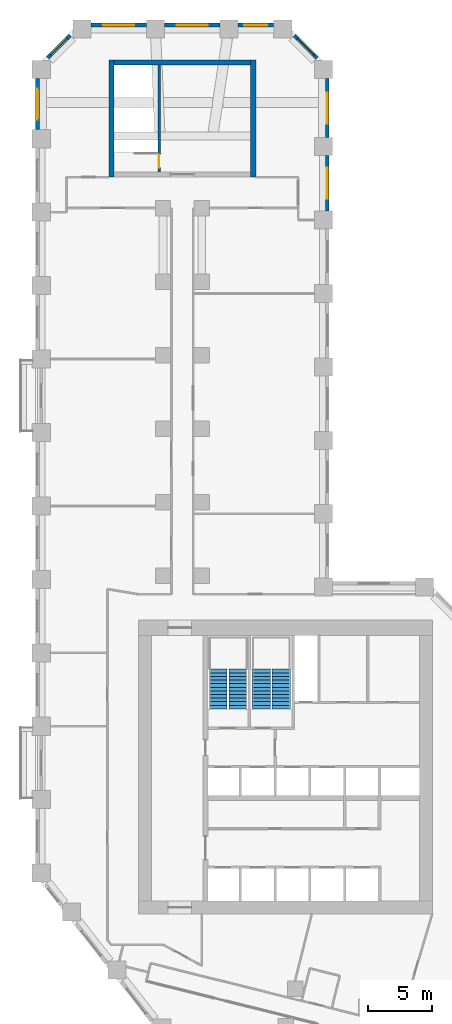
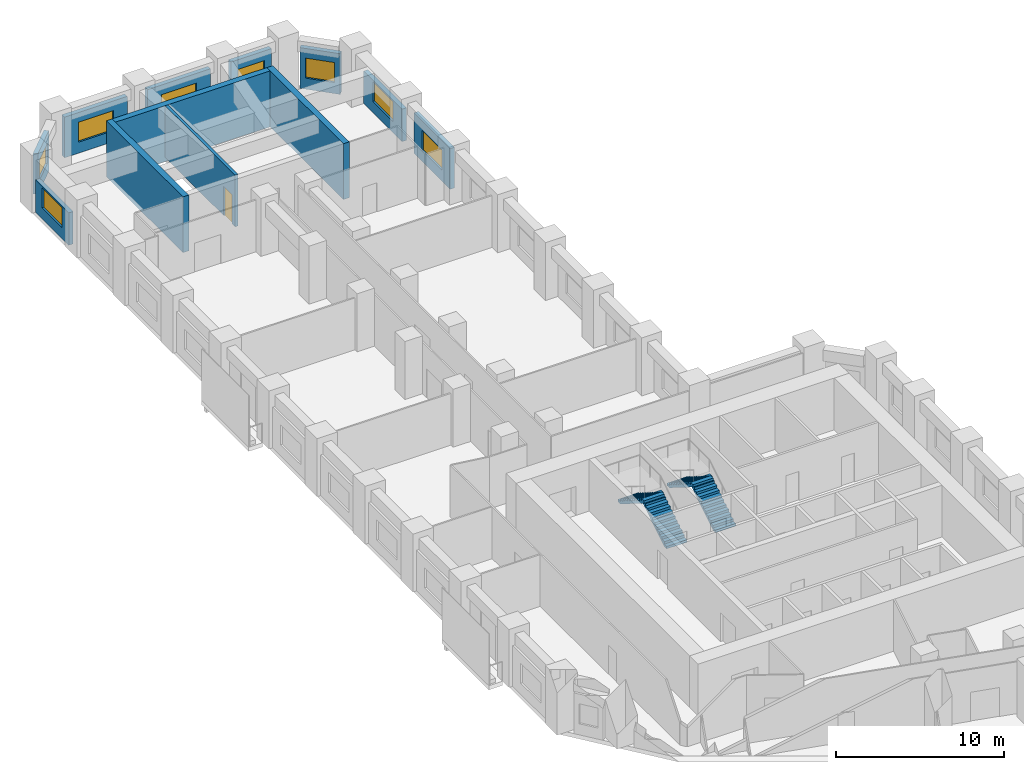
# One storey, part 10 of 12: 12 walls, 8 windows, 4 stair flights, 1 door, 9 openings, 2 elements without a shape of their own.
"""IFC4 building model written with IfcOpenShell, lengths in metres."""

from ifc_helpers import new_model, si_unit, direction, frame, frame_2d, origin, place, context, subcontext, project, spatial, polyline, rectangle, outline, extrude, material, layer, layer_set, type_object, element, fill, aggregate, save


model = new_model("IFC4")

# Units and contexts
model_context = context("Model", 3, precision=1e-05, world=origin(), true_north=direction((0.0, 1.0)))
body_context = subcontext(model_context, "Body", "Model", "MODEL_VIEW")
ifc_project = project(units=[si_unit("LENGTHUNIT", "METRE"), si_unit("AREAUNIT", "SQUARE_METRE"), si_unit("VOLUMEUNIT", "CUBIC_METRE"), si_unit("PLANEANGLEUNIT", "RADIAN"), si_unit("MASSUNIT", "GRAM", prefix="KILO")], contexts=[model_context])

# Site, building, storey
site_placement = place(None, origin())
site = spatial("IfcSite", under=ifc_project, at=site_placement, CompositionType="ELEMENT")
building_placement = place(site_placement, origin())
building = spatial("IfcBuilding", under=site, at=building_placement, Name="Meshkara Civic Tower", CompositionType="ELEMENT")
storey_placement = place(building_placement, frame((0.0, 0.0, 87.60009765625)))
storey = spatial("IfcBuildingStorey", under=building, at=storey_placement, Name="L19", CompositionType="ELEMENT", Elevation=87.60009765625)

# Wall, opening, window
ifc_material_1 = material(Name="Insulated infill panel with bronze anodised aluminium cladding", Category="aluminium")
ifc_layer_1 = layer(ifc_material_1, 0.300048828125)
ifc_layer_set_1 = layer_set([ifc_layer_1], Name="EXTERNAL INFILL WALL 300")
wall_type_1 = type_object("IfcWallType", Name="EXTERNAL INFILL WALL 300", PredefinedType="SOLIDWALL", material=ifc_layer_set_1)
wall_1_placement = place(storey_placement, frame((22.64990234375, 68.64990234375, 0.0), z_axis=(0.0, 0.0, 1.0), x_axis=(0.0, 1.0, 0.0)))
wall_1 = element("IfcWall", 1, at=wall_1_placement, inside=storey, type_object=wall_type_1, Name="External wall", PredefinedType="SOLIDWALL", context=body_context, shape_type="SweptSolid", body=[
    extrude(rectangle(XDim=4.300048828125, YDim=0.300048828125, at=frame_2d((2.14990234375, 0.0))), origin(), (0.0, 0.0, 1.0), 2.949951171875),
])
opening_1_placement = place(wall_1_placement, frame((0.949951171875, 0.0, 0.800048828125)))
opening_1 = element("IfcOpeningElement", 2, at=opening_1_placement, cuts=wall_1, Name="Opening W8", PredefinedType="OPENING", context=body_context, shape_type="SweptSolid", body=[
    extrude(rectangle(XDim=2.39990234375, YDim=1.449951171875, at=frame_2d((1.199951171875, 0.72509765625))), frame((0.0, 0.159912109375, 0.0), z_axis=(0.0, -1.0, 0.0), x_axis=(1.0, 0.0, 0.0)), (0.0, 0.0, 1.0), 0.320068359375),
])
ifc_material_2 = material(Name="Tinted double glazing", Category="glass")
window_type_1 = type_object("IfcWindowType", Name="WINDOW 2400x1450", PartitioningType="DOUBLE_PANEL_VERTICAL", PredefinedType="WINDOW", material=ifc_material_2)
window_1_placement = place(opening_1_placement, origin())
window_1 = element("IfcWindow", 3, at=window_1_placement, inside=storey, type_object=window_type_1, Name="Window", OverallHeight=1.449951171875, OverallWidth=2.39990234375, PartitioningType="DOUBLE_PANEL_VERTICAL", PredefinedType="WINDOW", context=body_context, shape_type="SweptSolid", body=[
    extrude(rectangle(XDim=2.39990234375, YDim=1.449951171875, at=frame_2d((1.199951171875, 0.72509765625))), frame((0.0, 0.030029296875, 0.0), z_axis=(0.0, -1.0, 0.0), x_axis=(1.0, 0.0, 0.0)), (0.0, 0.0, 1.0), 0.06005859375),
])
fill(opening_1, window_1)

wall_2_placement = place(storey_placement, frame((22.64990234375, 74.35009765625, 0.0), z_axis=(0.0, 0.0, 1.0), x_axis=(0.0, 1.0, 0.0)))
wall_2 = element("IfcWall", 4, at=wall_2_placement, inside=storey, type_object=wall_type_1, Name="External wall", PredefinedType="SOLIDWALL", context=body_context, shape_type="SweptSolid", body=[
    extrude(rectangle(XDim=4.56396484375, YDim=0.300048828125, at=frame_2d((2.281982421875, 0.0))), origin(), (0.0, 0.0, 1.0), 2.349853515625),
])
opening_2_placement = place(wall_2_placement, frame((1.08203125, 0.0, 0.800048828125)))
opening_2 = element("IfcOpeningElement", 5, at=opening_2_placement, cuts=wall_2, Name="Opening W8", PredefinedType="OPENING", context=body_context, shape_type="SweptSolid", body=[
    extrude(rectangle(XDim=2.39990234375, YDim=1.449951171875, at=frame_2d((1.199951171875, 0.72509765625))), frame((0.0, 0.159912109375, 0.0), z_axis=(0.0, -1.0, 0.0), x_axis=(1.0, 0.0, 0.0)), (0.0, 0.0, 1.0), 0.320068359375),
])
window_2_placement = place(opening_2_placement, origin())
window_2 = element("IfcWindow", 6, at=window_2_placement, inside=storey, type_object=window_type_1, Name="Window", OverallHeight=1.449951171875, OverallWidth=2.39990234375, PartitioningType="DOUBLE_PANEL_VERTICAL", PredefinedType="WINDOW", context=body_context, shape_type="SweptSolid", body=[
    extrude(rectangle(XDim=2.39990234375, YDim=1.449951171875, at=frame_2d((1.199951171875, 0.72509765625))), frame((0.0, 0.030029296875, 0.0), z_axis=(0.0, -1.0, 0.0), x_axis=(1.0, 0.0, 0.0)), (0.0, 0.0, 1.0), 0.06005859375),
])
fill(opening_2, window_2)

wall_3_placement = place(storey_placement, frame((21.862060546875, 80.52587890625, 0.0), z_axis=(0.0, 0.0, 1.0), x_axis=(-0.707106781187, 0.707106781187, 0.0)))
wall_3 = element("IfcWall", 7, at=wall_3_placement, inside=storey, type_object=wall_type_1, Name="External wall", PredefinedType="SOLIDWALL", context=body_context, shape_type="SweptSolid", body=[
    extrude(rectangle(XDim=2.4833984375, YDim=0.300048828125, at=frame_2d((1.24169921875, 0.0))), origin(), (0.0, 0.0, 1.0), 2.949951171875),
])
opening_3_placement = place(wall_3_placement, frame((0.342041015625, 0.0, 0.800048828125)))
opening_3 = element("IfcOpeningElement", 8, at=opening_3_placement, cuts=wall_3, Name="Opening W10", PredefinedType="OPENING", context=body_context, shape_type="SweptSolid", body=[
    extrude(rectangle(XDim=1.800048828125, YDim=1.449951171875, at=frame_2d((0.89990234375, 0.72509765625))), frame((0.0, 0.159912109375, 0.0), z_axis=(0.0, -1.0, 0.0), x_axis=(1.0, 0.0, 0.0)), (0.0, 0.0, 1.0), 0.320068359375),
])
ifc_material_3 = material(Name="Tinted double glazing", Category="glass")
window_type_2 = type_object("IfcWindowType", Name="WINDOW 1800x1450", PartitioningType="DOUBLE_PANEL_VERTICAL", PredefinedType="WINDOW", material=ifc_material_3)
window_3_placement = place(opening_3_placement, origin())
window_3 = element("IfcWindow", 9, at=window_3_placement, inside=storey, type_object=window_type_2, Name="Window", OverallHeight=1.449951171875, OverallWidth=1.800048828125, PartitioningType="DOUBLE_PANEL_VERTICAL", PredefinedType="WINDOW", context=body_context, shape_type="SweptSolid", body=[
    extrude(rectangle(XDim=1.800048828125, YDim=1.449951171875, at=frame_2d((0.89990234375, 0.72509765625))), frame((0.0, 0.030029296875, 0.0), z_axis=(0.0, -1.0, 0.0), x_axis=(1.0, 0.0, 0.0)), (0.0, 0.0, 1.0), 0.06005859375),
])
fill(opening_3, window_3)

wall_4_placement = place(storey_placement, frame((18.493896484375, 83.070068359375, 0.0), z_axis=(0.0, 0.0, 1.0), x_axis=(-1.0, 0.0, 0.0)))
wall_4 = element("IfcWall", 10, at=wall_4_placement, inside=storey, type_object=wall_type_1, Name="External wall", PredefinedType="SOLIDWALL", context=body_context, shape_type="SweptSolid", body=[
    extrude(rectangle(XDim=2.787841796875, YDim=0.300048828125, at=frame_2d((1.39404296875, 0.0))), origin(), (0.0, 0.0, 1.0), 2.949951171875),
])
opening_4_placement = place(wall_4_placement, frame((0.493896484375, 0.0, 0.800048828125)))
opening_4 = element("IfcOpeningElement", 11, at=opening_4_placement, cuts=wall_4, Name="Opening W10", PredefinedType="OPENING", context=body_context, shape_type="SweptSolid", body=[
    extrude(rectangle(XDim=1.800048828125, YDim=1.449951171875, at=frame_2d((0.89990234375, 0.72509765625))), frame((0.0, 0.159912109375, 0.0), z_axis=(0.0, -1.0, 0.0), x_axis=(1.0, 0.0, 0.0)), (0.0, 0.0, 1.0), 0.320068359375),
])
window_4_placement = place(opening_4_placement, origin())
window_4 = element("IfcWindow", 12, at=window_4_placement, inside=storey, type_object=window_type_2, Name="Window", OverallHeight=1.449951171875, OverallWidth=1.800048828125, PartitioningType="DOUBLE_PANEL_VERTICAL", PredefinedType="WINDOW", context=body_context, shape_type="SweptSolid", body=[
    extrude(rectangle(XDim=1.800048828125, YDim=1.449951171875, at=frame_2d((0.89990234375, 0.72509765625))), frame((0.0, 0.030029296875, 0.0), z_axis=(0.0, -1.0, 0.0), x_axis=(1.0, 0.0, 0.0)), (0.0, 0.0, 1.0), 0.06005859375),
])
fill(opening_4, window_4)

wall_5_placement = place(storey_placement, frame((14.305908203125, 83.070068359375, 0.0), z_axis=(0.0, 0.0, 1.0), x_axis=(-1.0, 0.0, 0.0)))
wall_5 = element("IfcWall", 13, at=wall_5_placement, inside=storey, type_object=wall_type_1, Name="External wall", PredefinedType="SOLIDWALL", context=body_context, shape_type="SweptSolid", body=[
    extrude(rectangle(XDim=4.2998046875, YDim=0.300048828125, at=frame_2d((2.14990234375, 0.0))), origin(), (0.0, 0.0, 1.0), 2.949951171875),
])
opening_5_placement = place(wall_5_placement, frame((0.949951171875, 0.0, 0.800048828125)))
opening_5 = element("IfcOpeningElement", 14, at=opening_5_placement, cuts=wall_5, Name="Opening W8", PredefinedType="OPENING", context=body_context, shape_type="SweptSolid", body=[
    extrude(rectangle(XDim=2.39990234375, YDim=1.449951171875, at=frame_2d((1.199951171875, 0.72509765625))), frame((0.0, 0.159912109375, 0.0), z_axis=(0.0, -1.0, 0.0), x_axis=(1.0, 0.0, 0.0)), (0.0, 0.0, 1.0), 0.320068359375),
])
window_5_placement = place(opening_5_placement, origin())
window_5 = element("IfcWindow", 15, at=window_5_placement, inside=storey, type_object=window_type_1, Name="Window", OverallHeight=1.449951171875, OverallWidth=2.39990234375, PartitioningType="DOUBLE_PANEL_VERTICAL", PredefinedType="WINDOW", context=body_context, shape_type="SweptSolid", body=[
    extrude(rectangle(XDim=2.39990234375, YDim=1.449951171875, at=frame_2d((1.199951171875, 0.72509765625))), frame((0.0, 0.030029296875, 0.0), z_axis=(0.0, -1.0, 0.0), x_axis=(1.0, 0.0, 0.0)), (0.0, 0.0, 1.0), 0.06005859375),
])
fill(opening_5, window_5)

wall_6_placement = place(storey_placement, frame((8.60595703125, 83.070068359375, 0.0), z_axis=(0.0, 0.0, 1.0), x_axis=(-1.0, 0.0, 0.0)))
wall_6 = element("IfcWall", 16, at=wall_6_placement, inside=storey, type_object=wall_type_1, Name="External wall", PredefinedType="SOLIDWALL", context=body_context, shape_type="SweptSolid", body=[
    extrude(rectangle(XDim=4.300048828125, YDim=0.300048828125, at=frame_2d((2.14990234375, 0.0))), origin(), (0.0, 0.0, 1.0), 2.949951171875),
])
opening_6_placement = place(wall_6_placement, frame((0.949951171875, 0.0, 0.800048828125)))
opening_6 = element("IfcOpeningElement", 17, at=opening_6_placement, cuts=wall_6, Name="Opening W8", PredefinedType="OPENING", context=body_context, shape_type="SweptSolid", body=[
    extrude(rectangle(XDim=2.39990234375, YDim=1.449951171875, at=frame_2d((1.199951171875, 0.72509765625))), frame((0.0, 0.159912109375, 0.0), z_axis=(0.0, -1.0, 0.0), x_axis=(1.0, 0.0, 0.0)), (0.0, 0.0, 1.0), 0.320068359375),
])
window_6_placement = place(opening_6_placement, origin())
window_6 = element("IfcWindow", 18, at=window_6_placement, inside=storey, type_object=window_type_1, Name="Window", OverallHeight=1.449951171875, OverallWidth=2.39990234375, PartitioningType="DOUBLE_PANEL_VERTICAL", PredefinedType="WINDOW", context=body_context, shape_type="SweptSolid", body=[
    extrude(rectangle(XDim=2.39990234375, YDim=1.449951171875, at=frame_2d((1.199951171875, 0.72509765625))), frame((0.0, 0.030029296875, 0.0), z_axis=(0.0, -1.0, 0.0), x_axis=(1.0, 0.0, 0.0)), (0.0, 0.0, 1.0), 0.06005859375),
])
fill(opening_6, window_6)

wall_7_placement = place(storey_placement, frame((2.694091796875, 82.281982421875, 0.0), z_axis=(0.0, 0.0, 1.0), x_axis=(-0.707106781187, -0.707106781187, 0.0)))
wall_7 = element("IfcWall", 19, at=wall_7_placement, inside=storey, type_object=wall_type_1, Name="External wall", PredefinedType="SOLIDWALL", context=body_context, shape_type="SweptSolid", body=[
    extrude(rectangle(XDim=2.4833984375, YDim=0.300048828125, at=frame_2d((1.24169921875, 0.0))), origin(), (0.0, 0.0, 1.0), 2.949951171875),
])
opening_7_placement = place(wall_7_placement, frame((0.342041015625, 0.0, 0.800048828125)))
opening_7 = element("IfcOpeningElement", 20, at=opening_7_placement, cuts=wall_7, Name="Opening W10", PredefinedType="OPENING", context=body_context, shape_type="SweptSolid", body=[
    extrude(rectangle(XDim=1.800048828125, YDim=1.449951171875, at=frame_2d((0.89990234375, 0.72509765625))), frame((0.0, 0.159912109375, 0.0), z_axis=(0.0, -1.0, 0.0), x_axis=(1.0, 0.0, 0.0)), (0.0, 0.0, 1.0), 0.320068359375),
])
window_7_placement = place(opening_7_placement, origin())
window_7 = element("IfcWindow", 21, at=window_7_placement, inside=storey, type_object=window_type_2, Name="Window", OverallHeight=1.449951171875, OverallWidth=1.800048828125, PartitioningType="DOUBLE_PANEL_VERTICAL", PredefinedType="WINDOW", context=body_context, shape_type="SweptSolid", body=[
    extrude(rectangle(XDim=1.800048828125, YDim=1.449951171875, at=frame_2d((0.89990234375, 0.72509765625))), frame((0.0, 0.030029296875, 0.0), z_axis=(0.0, -1.0, 0.0), x_axis=(1.0, 0.0, 0.0)), (0.0, 0.0, 1.0), 0.06005859375),
])
fill(opening_7, window_7)

wall_8_placement = place(storey_placement, frame((0.14990234375, 78.9140625, 0.0), z_axis=(0.0, 0.0, 1.0), x_axis=(0.0, -1.0, 0.0)))
wall_8 = element("IfcWall", 22, at=wall_8_placement, inside=storey, type_object=wall_type_1, Name="External wall", PredefinedType="SOLIDWALL", context=body_context, shape_type="SweptSolid", body=[
    extrude(rectangle(XDim=3.958984375, YDim=0.300048828125, at=frame_2d((1.9794921875, 0.0))), origin(), (0.0, 0.0, 1.0), 2.349853515625),
])
opening_8_placement = place(wall_8_placement, frame((0.780029296875, 0.0, 0.800048828125)))
opening_8 = element("IfcOpeningElement", 23, at=opening_8_placement, cuts=wall_8, Name="Opening W8", PredefinedType="OPENING", context=body_context, shape_type="SweptSolid", body=[
    extrude(rectangle(XDim=2.39990234375, YDim=1.449951171875, at=frame_2d((1.199951171875, 0.72509765625))), frame((0.0, 0.159912109375, 0.0), z_axis=(0.0, -1.0, 0.0), x_axis=(1.0, 0.0, 0.0)), (0.0, 0.0, 1.0), 0.320068359375),
])
window_8_placement = place(opening_8_placement, origin())
window_8 = element("IfcWindow", 24, at=window_8_placement, inside=storey, type_object=window_type_1, Name="Window", OverallHeight=1.449951171875, OverallWidth=2.39990234375, PartitioningType="DOUBLE_PANEL_VERTICAL", PredefinedType="WINDOW", context=body_context, shape_type="SweptSolid", body=[
    extrude(rectangle(XDim=2.39990234375, YDim=1.449951171875, at=frame_2d((1.199951171875, 0.72509765625))), frame((0.0, 0.030029296875, 0.0), z_axis=(0.0, -1.0, 0.0), x_axis=(1.0, 0.0, 0.0)), (0.0, 0.0, 1.0), 0.06005859375),
])
fill(opening_8, window_8)

# Walls
ifc_material_4 = material(Name="Concrete C80", Category="concrete")
ifc_layer_2 = layer(ifc_material_4, 0.39990234375)
ifc_layer_set_2 = layer_set([ifc_layer_2], Name="End core ring wall 400 C80")
wall_type_2 = type_object("IfcWallType", Name="End core ring wall 400 C80", PredefinedType="SHEAR", material=ifc_layer_set_2)
for number, where, z_axis, x_axis, name in (
    (25, (5.89990234375, 71.27001953125, -0.300048828125), (0.0, 0.0, 1.0), (0.0, 1.0, 0.0), "L19-C026"),
    (26, (16.89990234375, 71.27001953125, -0.300048828125), (0.0, 0.0, 1.0), (0.0, 1.0, 0.0), "L19-C027"),
):
    element("IfcWall", number, at=place(storey_placement, frame(where, z_axis=z_axis, x_axis=x_axis)), inside=storey, type_object=wall_type_2, Name=name, PredefinedType="SHEAR", context=body_context, shape_type="SweptSolid", body=[
        extrude(rectangle(XDim=9.10009765625, YDim=0.39990234375, at=frame_2d((4.550048828125, 0.0))), origin(), (0.0, 0.0, 1.0), 4.050048828125),
    ])
wall_9_placement = place(storey_placement, frame((6.10009765625, 80.169921875, -0.300048828125), z_axis=(0.0, 0.0, 1.0), x_axis=(1.0, 0.0, 0.0)))
element("IfcWall", 27, at=wall_9_placement, inside=storey, type_object=wall_type_2, Name="L19-C029", PredefinedType="SHEAR", context=body_context, shape_type="SweptSolid", body=[
    extrude(rectangle(XDim=10.599853515625, YDim=0.39990234375, at=frame_2d((5.2998046875, 0.0))), origin(), (0.0, 0.0, 1.0), 4.050048828125),
])

# Wall, opening, door
ifc_material_5 = material(Name="Concrete C40/50", Category="concrete")
ifc_layer_3 = layer(ifc_material_5, 0.199951171875)
ifc_layer_set_3 = layer_set([ifc_layer_3], Name="Stair enclosure wall 200 C40/50")
wall_type_3 = type_object("IfcWallType", Name="Stair enclosure wall 200 C40/50", PredefinedType="SOLIDWALL", material=ifc_layer_set_3)
wall_10_placement = place(storey_placement, frame((9.60009765625, 71.669921875, 0.0), z_axis=(0.0, 0.0, 1.0), x_axis=(0.0, 1.0, 0.0)))
wall_10 = element("IfcWall", 28, at=wall_10_placement, inside=storey, type_object=wall_type_3, Name="L19-C030", PredefinedType="SOLIDWALL", context=body_context, shape_type="SweptSolid", body=[
    extrude(rectangle(XDim=8.300048828125, YDim=0.199951171875, at=frame_2d((4.14990234375, 0.0))), origin(), (0.0, 0.0, 1.0), 3.75),
])
opening_9_placement = place(wall_10_placement, frame((0.35009765625, 0.0, 0.0)))
opening_9 = element("IfcOpeningElement", 29, at=opening_9_placement, cuts=wall_10, Name="Opening L19-K101", PredefinedType="OPENING", context=body_context, shape_type="SweptSolid", body=[
    extrude(rectangle(XDim=1.0, YDim=2.10009765625, at=frame_2d((0.5, 1.050048828125))), frame((0.0, 0.10986328125, 0.0), z_axis=(0.0, -1.0, 0.0), x_axis=(1.0, 0.0, 0.0)), (0.0, 0.0, 1.0), 0.219970703125),
])
ifc_material_6 = material(Name="Fire-rated door leaf in steel frame", Category="steel")
door_type = type_object("IfcDoorType", Name="Stair door 1000 EI 120", OperationType="SINGLE_SWING_LEFT", PredefinedType="DOOR", material=ifc_material_6)
door_placement = place(opening_9_placement, origin())
door = element("IfcDoor", 30, at=door_placement, inside=storey, type_object=door_type, Name="L19-K101", OperationType="SINGLE_SWING_RIGHT", OverallHeight=2.10009765625, OverallWidth=1.0, PredefinedType="DOOR", context=body_context, shape_type="SweptSolid", body=[
    extrude(rectangle(XDim=1.0, YDim=2.10009765625, at=frame_2d((0.5, 1.050048828125))), frame((0.0, 0.02490234375, 0.0), z_axis=(0.0, -1.0, 0.0), x_axis=(1.0, 0.0, 0.0)), (0.0, 0.0, 1.0), 0.050048828125),
])
fill(opening_9, door)

# Stair, stair flights
ifc_material_7 = material(Name="Precast concrete C40/50", Category="concrete")
stair_type = type_object("IfcStairType", Name="Exit stair half-turn 24 risers precast", PredefinedType="HALF_TURN_STAIR", material=ifc_material_7)
stair_1_placement = place(storey_placement, origin())
stair_1 = element("IfcStair", 31, at=stair_1_placement, inside=storey, type_object=stair_type, Name="L19 exit stair 1", PredefinedType="HALF_TURN_STAIR")
ifc_material_8 = material(Name="Precast concrete C40/50", Category="concrete")
stair_flight_type = type_object("IfcStairFlightType", Name="Exit stair flight 12 risers precast", PredefinedType="STRAIGHT", material=ifc_material_8)
stair_flight_1_placement = place(storey_placement, frame((15.72509765625, 30.0, 0.0), z_axis=(0.0, 0.0, 1.0), x_axis=(0.0, 1.0, 0.0)))
stair_flight_1 = element("IfcStairFlight", 32, at=stair_flight_1_placement, type_object=stair_flight_type, Name="ST1 flight 1", NumberOfRisers=12, NumberOfTreads=11, PredefinedType="STRAIGHT", RiserHeight=0.175, TreadLength=0.28, context=body_context, shape_type="SweptSolid", body=[
    extrude(outline(polyline([(0.0, 0.0), (0.0, 0.175048828125), (0.280029296875, 0.175048828125), (0.280029296875, 0.35009765625), (0.56005859375, 0.35009765625), (0.56005859375, 0.52490234375), (0.840087890625, 0.52490234375), (0.840087890625, 0.699951171875), (1.1201171875, 0.699951171875), (1.1201171875, 0.875), (1.39990234375, 0.875), (1.39990234375, 1.050048828125), (1.679931640625, 1.050048828125), (1.679931640625, 1.22509765625), (1.9599609375, 1.22509765625), (1.9599609375, 1.39990234375), (2.239990234375, 1.39990234375), (2.239990234375, 1.574951171875), (2.52001953125, 1.574951171875), (2.52001953125, 1.75), (2.800048828125, 1.75), (2.800048828125, 1.925048828125), (3.080078125, 1.925048828125), (3.080078125, 2.10009765625), (3.080078125, 1.748291015625), (0.28271484375, 0.0), (0.0, 0.0)])), frame((0.0, 0.699951171875, 0.0), z_axis=(0.0, -1.0, 0.0), x_axis=(1.0, 0.0, 0.0)), (0.0, 0.0, 1.0), 1.39990234375),
])
stair_flight_2_placement = place(storey_placement, frame((14.175048828125, 33.080078125, 2.099853515625), z_axis=(0.0, 0.0, 1.0), x_axis=(0.0, -1.0, 0.0)))
stair_flight_2 = element("IfcStairFlight", 33, at=stair_flight_2_placement, type_object=stair_flight_type, Name="ST1 flight 2", NumberOfRisers=12, NumberOfTreads=11, PredefinedType="STRAIGHT", RiserHeight=0.175, TreadLength=0.28, context=body_context, shape_type="SweptSolid", body=[
    extrude(outline(polyline([(0.0, 0.0), (0.0, 0.175048828125), (0.280029296875, 0.175048828125), (0.280029296875, 0.35009765625), (0.56005859375, 0.35009765625), (0.56005859375, 0.52490234375), (0.840087890625, 0.52490234375), (0.840087890625, 0.699951171875), (1.1201171875, 0.699951171875), (1.1201171875, 0.875), (1.39990234375, 0.875), (1.39990234375, 1.050048828125), (1.679931640625, 1.050048828125), (1.679931640625, 1.22509765625), (1.9599609375, 1.22509765625), (1.9599609375, 1.39990234375), (2.239990234375, 1.39990234375), (2.239990234375, 1.574951171875), (2.52001953125, 1.574951171875), (2.52001953125, 1.75), (2.800048828125, 1.75), (2.800048828125, 1.925048828125), (3.080078125, 1.925048828125), (3.080078125, 2.10009765625), (3.080078125, 1.748291015625), (0.28271484375, 0.0), (0.0, 0.0)])), frame((0.0, 0.699951171875, 0.0), z_axis=(0.0, -1.0, 0.0), x_axis=(1.0, 0.0, 0.0)), (0.0, 0.0, 1.0), 1.39990234375),
])
aggregate(stair_1, [stair_flight_1, stair_flight_2])

stair_2_placement = place(storey_placement, origin())
stair_2 = element("IfcStair", 34, at=stair_2_placement, inside=storey, type_object=stair_type, Name="L19 exit stair 2", PredefinedType="HALF_TURN_STAIR")
stair_flight_3_placement = place(storey_placement, frame((19.074951171875, 30.0, 0.0), z_axis=(0.0, 0.0, 1.0), x_axis=(0.0, 1.0, 0.0)))
stair_flight_3 = element("IfcStairFlight", 35, at=stair_flight_3_placement, type_object=stair_flight_type, Name="ST2 flight 1", NumberOfRisers=12, NumberOfTreads=11, PredefinedType="STRAIGHT", RiserHeight=0.175, TreadLength=0.28, context=body_context, shape_type="SweptSolid", body=[
    extrude(outline(polyline([(0.0, 0.0), (0.0, 0.175048828125), (0.280029296875, 0.175048828125), (0.280029296875, 0.35009765625), (0.56005859375, 0.35009765625), (0.56005859375, 0.52490234375), (0.840087890625, 0.52490234375), (0.840087890625, 0.699951171875), (1.1201171875, 0.699951171875), (1.1201171875, 0.875), (1.39990234375, 0.875), (1.39990234375, 1.050048828125), (1.679931640625, 1.050048828125), (1.679931640625, 1.22509765625), (1.9599609375, 1.22509765625), (1.9599609375, 1.39990234375), (2.239990234375, 1.39990234375), (2.239990234375, 1.574951171875), (2.52001953125, 1.574951171875), (2.52001953125, 1.75), (2.800048828125, 1.75), (2.800048828125, 1.925048828125), (3.080078125, 1.925048828125), (3.080078125, 2.10009765625), (3.080078125, 1.748291015625), (0.28271484375, 0.0), (0.0, 0.0)])), frame((0.0, 0.699951171875, 0.0), z_axis=(0.0, -1.0, 0.0), x_axis=(1.0, 0.0, 0.0)), (0.0, 0.0, 1.0), 1.39990234375),
])
stair_flight_4_placement = place(storey_placement, frame((17.52490234375, 33.080078125, 2.099853515625), z_axis=(0.0, 0.0, 1.0), x_axis=(0.0, -1.0, 0.0)))
stair_flight_4 = element("IfcStairFlight", 36, at=stair_flight_4_placement, type_object=stair_flight_type, Name="ST2 flight 2", NumberOfRisers=12, NumberOfTreads=11, PredefinedType="STRAIGHT", RiserHeight=0.175, TreadLength=0.28, context=body_context, shape_type="SweptSolid", body=[
    extrude(outline(polyline([(0.0, 0.0), (0.0, 0.175048828125), (0.280029296875, 0.175048828125), (0.280029296875, 0.35009765625), (0.56005859375, 0.35009765625), (0.56005859375, 0.52490234375), (0.840087890625, 0.52490234375), (0.840087890625, 0.699951171875), (1.1201171875, 0.699951171875), (1.1201171875, 0.875), (1.39990234375, 0.875), (1.39990234375, 1.050048828125), (1.679931640625, 1.050048828125), (1.679931640625, 1.22509765625), (1.9599609375, 1.22509765625), (1.9599609375, 1.39990234375), (2.239990234375, 1.39990234375), (2.239990234375, 1.574951171875), (2.52001953125, 1.574951171875), (2.52001953125, 1.75), (2.800048828125, 1.75), (2.800048828125, 1.925048828125), (3.080078125, 1.925048828125), (3.080078125, 2.10009765625), (3.080078125, 1.748291015625), (0.28271484375, 0.0), (0.0, 0.0)])), frame((0.0, 0.699951171875, 0.0), z_axis=(0.0, -1.0, 0.0), x_axis=(1.0, 0.0, 0.0)), (0.0, 0.0, 1.0), 1.39990234375),
])
aggregate(stair_2, [stair_flight_3, stair_flight_4])

save(model, "model.ifc")
